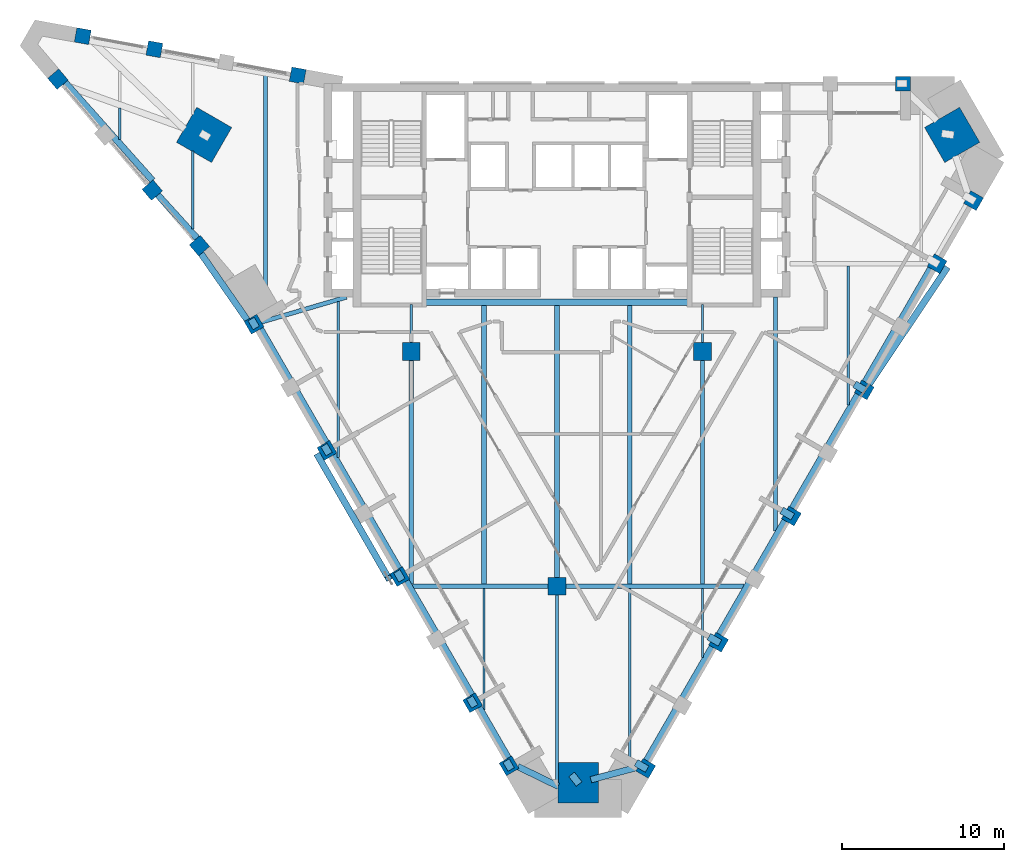
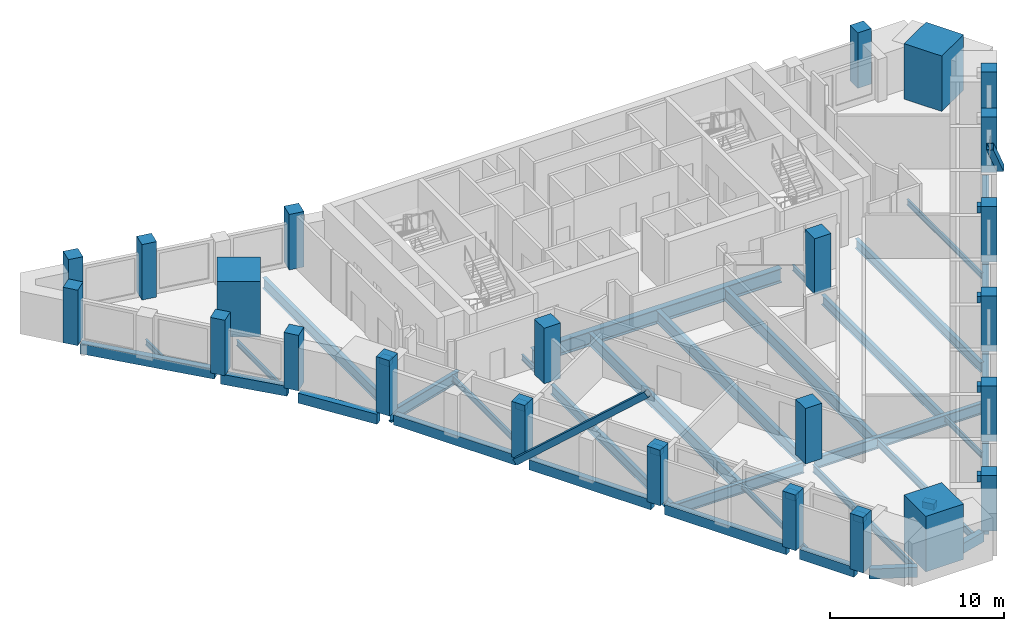
# One storey, part 1 of 9: 44 beams, 24 columns, 2 members.
"""IFC4 building model written with IfcOpenShell, lengths in metres."""

from ifc_helpers import new_model, si_unit, direction, frame, origin, origin_2d, place, context, subcontext, project, spatial, rectangle, hollow_rectangle, i_section, extrude, material, material_profile, profile_set, type_object, element, save


model = new_model("IFC4")

# Units and contexts
model_context = context("Model", 3, precision=1e-05, world=origin(), true_north=direction((0.0, 1.0)))
body_context = subcontext(model_context, "Body", "Model", "MODEL_VIEW")
ifc_project = project(units=[si_unit("LENGTHUNIT", "METRE"), si_unit("AREAUNIT", "SQUARE_METRE"), si_unit("VOLUMEUNIT", "CUBIC_METRE"), si_unit("PLANEANGLEUNIT", "RADIAN"), si_unit("MASSUNIT", "GRAM", prefix="KILO")], contexts=[model_context])

# Site, building, storey
site_placement = place(None, origin())
site = spatial("IfcSite", under=ifc_project, at=site_placement, CompositionType="ELEMENT")
building_placement = place(site_placement, origin())
building = spatial("IfcBuilding", under=site, at=building_placement, Name="Calabash Gate Tower", CompositionType="ELEMENT")
storey_placement = place(building_placement, frame((0.0, 0.0, 204.199951171875)))
storey = spatial("IfcBuildingStorey", under=building, at=storey_placement, Name="L48", CompositionType="ELEMENT", Elevation=204.199951171875)

# Columns
ifc_material_1 = material(Name="Concrete C60/75", Category="concrete")
ifc_material_profile_1 = material_profile(ifc_material_1, rectangle(XDim=1.10009765625, YDim=1.10009765625, at=origin_2d()))
ifc_profile_set_1 = profile_set([ifc_material_profile_1], Name="Concrete C60/75")
column_type_1 = type_object("IfcColumnType", Name="Interior column RC 1100x1100 Concrete C60/75", PredefinedType="COLUMN", material=ifc_profile_set_1)
for number, where, z_axis, x_axis, name in (
    (1, (-9.0, 2.5, 0.0), (0.0, 0.0, 1.0), (1.0, 0.0, 0.0), "Interior column L48 I0"),
    (2, (9.0, 2.5, 0.0), (0.0, 0.0, 1.0), (1.0, 0.0, 0.0), "Interior column L48 I1"),
    (3, (0.0, -12.0, 0.0), (0.0, 0.0, 1.0), (1.0, 0.0, 0.0), "Interior column L48 I2"),
):
    element("IfcColumn", number, at=place(storey_placement, frame(where, z_axis=z_axis, x_axis=x_axis)), inside=storey, type_object=column_type_1, Name=name, PredefinedType="COLUMN", context=body_context, shape_type="SweptSolid", body=[
        extrude(rectangle(XDim=1.10009765625, YDim=1.10009765625, at=origin_2d()), origin(), (0.0, 0.0, 1.0), 3.900146484375),
    ])
ifc_material_2 = material(Name="Concrete C70/85", Category="concrete")
ifc_material_profile_2 = material_profile(ifc_material_2, rectangle(XDim=2.5, YDim=2.5, at=origin_2d()))
ifc_profile_set_2 = profile_set([ifc_material_profile_2], Name="Concrete C70/85")
column_type_2 = type_object("IfcColumnType", Name="Mega column RC 2500x2500 Concrete C70/85", PredefinedType="COLUMN", material=ifc_profile_set_2)
for number, where, z_axis, x_axis, name in (
    (4, (-21.7958984375, 15.8798828125, 0.0), (0.0, 0.0, 1.0), (0.866025377604, -0.500000045345, 0.0), "Mega column L48 NW"),
    (5, (24.4169921875, 15.8798828125, 0.0), (0.0, 0.0, 1.0), (-0.866025377604, -0.500000045345, 0.0), "Mega column L48 NE"),
    (6, (1.31005859375, -24.14208984375, 0.0), (0.0, 0.0, 1.0), (0.0, 1.0, 0.0), "Mega column L48 S"),
):
    element("IfcColumn", number, at=place(storey_placement, frame(where, z_axis=z_axis, x_axis=x_axis)), inside=storey, type_object=column_type_2, Name=name, PredefinedType="COLUMN", context=body_context, shape_type="SweptSolid", body=[
        extrude(rectangle(XDim=2.5, YDim=2.5, at=origin_2d()), origin(), (0.0, 0.0, 1.0), 3.900146484375),
    ])
ifc_material_3 = material(Name="Concrete C60/75", Category="concrete")
ifc_material_profile_3 = material_profile(ifc_material_3, rectangle(XDim=0.89990234375, YDim=0.89990234375, at=origin_2d()))
ifc_profile_set_3 = profile_set([ifc_material_profile_3], Name="Concrete C60/75")
column_type_3 = type_object("IfcColumnType", Name="Perimeter column RC 900x900 Concrete C60/75", PredefinedType="COLUMN", material=ifc_profile_set_3)
for number, where, z_axis, x_axis, name in (
    (7, (-18.70703125, 4.18408203125, 0.0), (0.0, 0.0, 1.0), (0.5, -0.866025403784, 0.0), "Perimeter column L48 P00"),
    (8, (-14.20703125, -3.610107421875, 0.0), (0.0, 0.0, 1.0), (0.5, -0.866025403784, 0.0), "Perimeter column L48 P01"),
    (9, (-9.70703125, -11.404052734375, 0.0), (0.0, 0.0, 1.0), (0.5, -0.866025403784, 0.0), "Perimeter column L48 P02"),
    (10, (-5.20703125, -19.198974609375, 0.0), (0.0, 0.0, 1.0), (0.5, -0.866025403784, 0.0), "Perimeter column L48 P03"),
    (11, (-2.95703125, -23.095947265625, 0.0), (0.0, 0.0, 1.0), (0.5, -0.866025403784, 0.0), "Perimeter column L48 P25"),
    (12, (5.486083984375, -23.25390625, 0.0), (0.0, 0.0, 1.0), (0.5, 0.866025403784, 0.0), "Perimeter column L48 P08"),
    (13, (9.986083984375, -15.4599609375, 0.0), (0.0, 0.0, 1.0), (0.5, 0.866025403784, 0.0), "Perimeter column L48 P09"),
    (14, (14.486083984375, -7.6630859375, 0.0), (0.0, 0.0, 1.0), (0.5, 0.866025403784, 0.0), "Perimeter column L48 P10"),
    (15, (18.986083984375, 0.12890625, 0.0), (0.0, 0.0, 1.0), (0.5, 0.866025403784, 0.0), "Perimeter column L48 P11"),
    (16, (23.486083984375, 7.923095703125, 0.0), (0.0, 0.0, 1.0), (0.5, 0.866025403784, 0.0), "Perimeter column L48 P12"),
    (17, (25.736083984375, 11.820068359375, 0.0), (0.0, 0.0, 1.0), (0.5, 0.866025403784, 0.0), "Perimeter column L48 P13"),
    (18, (21.3779296875, 19.052978515625, 0.0), (0.0, 0.0, 1.0), (-1.0, 0.0, 0.0), "Perimeter column L48 P24"),
    (19, (-16.012939453125, 19.551025390625, 0.0), (0.0, 0.0, 1.0), (-0.983669930074, 0.179981856499, 0.0), "Perimeter column L48 P31"),
    (20, (-24.865966796875, 21.1708984375, 0.0), (0.0, 0.0, 1.0), (-0.983669930074, 0.179981856499, 0.0), "Perimeter column L48 P32"),
    (21, (-29.29296875, 21.97998046875, 0.0), (0.0, 0.0, 1.0), (-0.983669930074, 0.179981856499, 0.0), "Perimeter column L48 P33"),
    (22, (-30.827880859375, 19.322021484375, 0.0), (0.0, 0.0, 1.0), (0.647703824985, -0.761892220133, 0.0), "Perimeter column L48 P34"),
    (23, (-24.998046875, 12.467041015625, 0.0), (0.0, 0.0, 1.0), (0.647703824985, -0.761892220133, 0.0), "Perimeter column L48 P20"),
    (24, (-22.083984375, 9.037109375, 0.0), (0.0, 0.0, 1.0), (0.647703824985, -0.761892220133, 0.0), "Perimeter column L48 P35"),
):
    element("IfcColumn", number, at=place(storey_placement, frame(where, z_axis=z_axis, x_axis=x_axis)), inside=storey, type_object=column_type_3, Name=name, PredefinedType="COLUMN", context=body_context, shape_type="SweptSolid", body=[
        extrude(rectangle(XDim=0.89990234375, YDim=0.89990234375, at=origin_2d()), origin(), (0.0, 0.0, 1.0), 3.900146484375),
    ])

# Beams
ifc_material_4 = material(Name="Concrete C80/95", Category="concrete")
ifc_material_profile_4 = material_profile(ifc_material_4, rectangle(XDim=0.449951171875, YDim=0.449951171875, at=origin_2d()))
ifc_profile_set_4 = profile_set([ifc_material_profile_4], Name="Concrete C80/95")
beam_type_1 = type_object("IfcBeamType", Name="Column offset link RC 450x450 Concrete C80/95", PredefinedType="BEAM", material=ifc_profile_set_4)
for number, where, z_axis, x_axis, name in (
    (25, (-18.572998046875, 3.9560546875, 3.504150390625), (-0.502042205342, 0.864843121066, 0.0), (-0.864843121066, -0.502042205342, 0.0), "Column offset link L48 P00"),
    (26, (-14.072998046875, -3.837890625, 3.504150390625), (-0.502042205342, 0.864843121066, 0.0), (-0.864843121066, -0.502042205342, 0.0), "Column offset link L48 P01"),
):
    element("IfcBeam", number, at=place(storey_placement, frame(where, z_axis=z_axis, x_axis=x_axis)), inside=storey, type_object=beam_type_1, Name=name, PredefinedType="BEAM", context=body_context, shape_type="SweptSolid", body=[
        extrude(rectangle(XDim=0.449951171875, YDim=0.449951171875, at=origin_2d()), origin(), (0.0, 0.0, 1.0), 0.631103515625),
    ])
beam_1_placement = place(storey_placement, frame((-9.572998046875, -11.632080078125, 3.504150390625), z_axis=(-0.502546433169, 0.864550219773, 0.0), x_axis=(-0.864550219773, -0.502546433169, 0.0)))
element("IfcBeam", 27, at=beam_1_placement, inside=storey, type_object=beam_type_1, Name="Column offset link L48 P02", PredefinedType="BEAM", context=body_context, shape_type="SweptSolid", body=[
    extrude(rectangle(XDim=0.449951171875, YDim=0.449951171875, at=origin_2d()), origin(), (0.0, 0.0, 1.0), 0.630615234375),
])
beam_2_placement = place(storey_placement, frame((-5.072998046875, -19.426025390625, 3.504150390625), z_axis=(-0.502714696212, 0.864452389789, 0.0), x_axis=(-0.864452389789, -0.502714696212, 0.0)))
element("IfcBeam", 28, at=beam_2_placement, inside=storey, type_object=beam_type_1, Name="Column offset link L48 P03", PredefinedType="BEAM", context=body_context, shape_type="SweptSolid", body=[
    extrude(rectangle(XDim=0.449951171875, YDim=0.449951171875, at=origin_2d()), origin(), (0.0, 0.0, 1.0), 0.63037109375),
])
for number, where, z_axis, x_axis, name in (
    (29, (5.572021484375, -23.303955078125, 3.504150390625), (-0.865538736039, 0.500841987473, 0.0), (-0.500841987473, -0.865538736039, 0.0), "Column offset link L48 P08"),
    (30, (10.072021484375, -15.510009765625, 3.504150390625), (-0.865538736039, 0.500841987473, 0.0), (-0.500841987473, -0.865538736039, 0.0), "Column offset link L48 P09"),
):
    element("IfcBeam", number, at=place(storey_placement, frame(where, z_axis=z_axis, x_axis=x_axis)), inside=storey, type_object=beam_type_1, Name=name, PredefinedType="BEAM", context=body_context, shape_type="SweptSolid", body=[
        extrude(rectangle(XDim=0.449951171875, YDim=0.449951171875, at=origin_2d()), origin(), (0.0, 0.0, 1.0), 0.792724609375),
    ])
beam_3_placement = place(storey_placement, frame((14.572021484375, -7.712890625, 3.504150390625), z_axis=(-0.867272838797, 0.49783312775, 0.0), x_axis=(-0.49783312775, -0.867272838797, 0.0)))
element("IfcBeam", 31, at=beam_3_placement, inside=storey, type_object=beam_type_1, Name="Column offset link L48 P10", PredefinedType="BEAM", context=body_context, shape_type="SweptSolid", body=[
    extrude(rectangle(XDim=0.449951171875, YDim=0.449951171875, at=origin_2d()), origin(), (0.0, 0.0, 1.0), 0.791015625),
])
beam_4_placement = place(storey_placement, frame((19.072021484375, 0.0791015625, 3.504150390625), z_axis=(-0.865004468214, 0.501764157718, 0.0), x_axis=(-0.501764157718, -0.865004468214, 0.0)))
element("IfcBeam", 32, at=beam_4_placement, inside=storey, type_object=beam_type_1, Name="Column offset link L48 P11", PredefinedType="BEAM", context=body_context, shape_type="SweptSolid", body=[
    extrude(rectangle(XDim=0.449951171875, YDim=0.449951171875, at=origin_2d()), origin(), (0.0, 0.0, 1.0), 0.793212890625),
])
beam_5_placement = place(storey_placement, frame((-2.822998046875, -23.323974609375, 3.504150390625), z_axis=(-0.502042205342, 0.864843121066, 0.0), x_axis=(-0.864843121066, -0.502042205342, 0.0)))
element("IfcBeam", 33, at=beam_5_placement, inside=storey, type_object=beam_type_1, Name="Column offset link L48 P25", PredefinedType="BEAM", context=body_context, shape_type="SweptSolid", body=[
    extrude(rectangle(XDim=0.449951171875, YDim=0.449951171875, at=origin_2d()), origin(), (0.0, 0.0, 1.0), 0.631103515625),
])
beam_6_placement = place(storey_placement, frame((1.3720703125, -24.219970703125, 3.504150390625), z_axis=(-0.618551093794, 0.785744579597, 0.0), x_axis=(-0.785744579597, -0.618551093794, 0.0)))
element("IfcBeam", 34, at=beam_6_placement, inside=storey, type_object=beam_type_1, Name="Column offset link L48 S", PredefinedType="BEAM", context=body_context, shape_type="SweptSolid", body=[
    extrude(rectangle(XDim=0.449951171875, YDim=0.449951171875, at=origin_2d()), origin(), (0.0, 0.0, 1.0), 0.75341796875),
])
ifc_material_5 = material(Name="Concrete C50/60", Category="concrete")
ifc_material_profile_5 = material_profile(ifc_material_5, rectangle(XDim=0.39990234375, YDim=0.699951171875, at=origin_2d()))
ifc_profile_set_5 = profile_set([ifc_material_profile_5], Name="Concrete C50/60")
beam_type_2 = type_object("IfcBeamType", Name="Edge beam RC 400x700 Concrete C50/60", PredefinedType="BEAM", material=ifc_profile_set_5)
beam_7_placement = place(storey_placement, frame((-13.80810546875, -3.89990234375, -0.52001953125), z_axis=(0.500091252813, -0.865972712538, 0.0), x_axis=(0.865972712538, 0.500091252813, 0.0)))
element("IfcBeam", 35, at=beam_7_placement, inside=storey, type_object=beam_type_2, Name="Edge beam L48 1", PredefinedType="BEAM", context=body_context, shape_type="SweptSolid", body=[
    extrude(rectangle(XDim=0.39990234375, YDim=0.699951171875, at=origin_2d()), origin(), (0.0, 0.0, 1.0), 8.0986328125),
])
beam_8_placement = place(storey_placement, frame((-9.30810546875, -11.694091796875, -0.52001953125), z_axis=(0.499999880539, -0.866025472755, 0.0), x_axis=(0.866025472755, 0.499999880539, 0.0)))
element("IfcBeam", 36, at=beam_8_placement, inside=storey, type_object=beam_type_2, Name="Edge beam L48 2", PredefinedType="BEAM", context=body_context, shape_type="SweptSolid", body=[
    extrude(rectangle(XDim=0.39990234375, YDim=0.699951171875, at=origin_2d()), origin(), (0.0, 0.0, 1.0), 8.10009765625),
])
beam_9_placement = place(storey_placement, frame((-4.80810546875, -19.488037109375, -0.52001953125), z_axis=(0.499982693035, -0.866035395735, 0.0), x_axis=(0.866035395735, 0.499982693035, 0.0)))
element("IfcBeam", 37, at=beam_9_placement, inside=storey, type_object=beam_type_2, Name="Edge beam L48 3", PredefinedType="BEAM", context=body_context, shape_type="SweptSolid", body=[
    extrude(rectangle(XDim=0.39990234375, YDim=0.699951171875, at=origin_2d()), origin(), (0.0, 0.0, 1.0), 3.600341796875),
])
beam_10_placement = place(storey_placement, frame((-2.4189453125, -23.139892578125, -0.52001953125), z_axis=(0.898841827038, -0.438273168203, 0.0), x_axis=(0.438273168203, 0.898841827038, 0.0)))
element("IfcBeam", 38, at=beam_10_placement, inside=storey, type_object=beam_type_2, Name="Edge beam L48 4", PredefinedType="BEAM", context=body_context, shape_type="SweptSolid", body=[
    extrude(rectangle(XDim=0.39990234375, YDim=0.699951171875, at=origin_2d()), origin(), (0.0, 0.0, 1.0), 2.78125),
])
beam_11_placement = place(storey_placement, frame((2.096923828125, -23.9560546875, -0.52001953125), z_axis=(0.965834015077, 0.25916144644, 0.0), x_axis=(-0.25916144644, 0.965834015077, 0.0)))
element("IfcBeam", 39, at=beam_11_placement, inside=storey, type_object=beam_type_2, Name="Edge beam L48 5", PredefinedType="BEAM", context=body_context, shape_type="SweptSolid", body=[
    extrude(rectangle(XDim=0.39990234375, YDim=0.699951171875, at=origin_2d()), origin(), (0.0, 0.0, 1.0), 3.041015625),
])
beam_12_placement = place(storey_placement, frame((5.5380859375, -22.763916015625, -0.52001953125), z_axis=(0.499977274689, 0.866038523851, 0.0), x_axis=(-0.866038523851, 0.499977274689, 0.0)))
element("IfcBeam", 40, at=beam_12_placement, inside=storey, type_object=beam_type_2, Name="Edge beam L48 6", PredefinedType="BEAM", context=body_context, shape_type="SweptSolid", body=[
    extrude(rectangle(XDim=0.39990234375, YDim=0.699951171875, at=origin_2d()), origin(), (0.0, 0.0, 1.0), 8.10009765625),
])
beam_13_placement = place(storey_placement, frame((10.0380859375, -14.969970703125, -0.52001953125), z_axis=(0.499859838702, 0.866106310826, 0.0), x_axis=(-0.866106310826, 0.499859838702, 0.0)))
element("IfcBeam", 41, at=beam_13_placement, inside=storey, type_object=beam_type_2, Name="Edge beam L48 7", PredefinedType="BEAM", context=body_context, shape_type="SweptSolid", body=[
    extrude(rectangle(XDim=0.39990234375, YDim=0.699951171875, at=origin_2d()), origin(), (0.0, 0.0, 1.0), 8.101806640625),
])
beam_14_placement = place(storey_placement, frame((14.5380859375, -7.176025390625, -0.52001953125), z_axis=(0.499964223975, 0.866046058097, 0.0), x_axis=(-0.866046058097, 0.499964223975, 0.0)))
element("IfcBeam", 42, at=beam_14_placement, inside=storey, type_object=beam_type_2, Name="Edge beam L48 8", PredefinedType="BEAM", context=body_context, shape_type="SweptSolid", body=[
    extrude(rectangle(XDim=0.39990234375, YDim=0.699951171875, at=origin_2d()), origin(), (0.0, 0.0, 1.0), 8.10009765625),
])
beam_15_placement = place(storey_placement, frame((19.0380859375, 0.618896484375, -0.52001953125), z_axis=(0.500016430238, 0.866015917575, 0.0), x_axis=(-0.866015917575, 0.500016430238, 0.0)))
element("IfcBeam", 43, at=beam_15_placement, inside=storey, type_object=beam_type_2, Name="Edge beam L48 9", PredefinedType="BEAM", context=body_context, shape_type="SweptSolid", body=[
    extrude(rectangle(XDim=0.39990234375, YDim=0.699951171875, at=origin_2d()), origin(), (0.0, 0.0, 1.0), 8.099365234375),
])
beam_16_placement = place(storey_placement, frame((-30.389892578125, 19.132080078125, -0.52001953125), z_axis=(0.665233110043, -0.746635727315, 0.0), x_axis=(0.746635727315, 0.665233110043, 0.0)))
element("IfcBeam", 44, at=beam_16_placement, inside=storey, type_object=beam_type_2, Name="Edge beam L48 17", PredefinedType="BEAM", context=body_context, shape_type="SweptSolid", body=[
    extrude(rectangle(XDim=0.39990234375, YDim=0.699951171875, at=origin_2d()), origin(), (0.0, 0.0, 1.0), 8.13671875),
])
beam_17_placement = place(storey_placement, frame((-24.910888671875, 12.449951171875, -0.52001953125), z_axis=(0.672053664313, -0.740502445832, 0.0), x_axis=(0.740502445832, 0.672053664313, 0.0)))
element("IfcBeam", 45, at=beam_17_placement, inside=storey, type_object=beam_type_2, Name="Edge beam L48 18", PredefinedType="BEAM", context=body_context, shape_type="SweptSolid", body=[
    extrude(rectangle(XDim=0.39990234375, YDim=0.699951171875, at=origin_2d()), origin(), (0.0, 0.0, 1.0), 4.00537109375),
])
beam_18_placement = place(storey_placement, frame((-21.98291015625, 8.5458984375, -0.52001953125), z_axis=(0.570816289465, -0.821077806107, 0.0), x_axis=(0.821077806107, 0.570816289465, 0.0)))
element("IfcBeam", 46, at=beam_18_placement, inside=storey, type_object=beam_type_2, Name="Edge beam L48 19", PredefinedType="BEAM", context=body_context, shape_type="SweptSolid", body=[
    extrude(rectangle(XDim=0.39990234375, YDim=0.699951171875, at=origin_2d()), origin(), (0.0, 0.0, 1.0), 5.015380859375),
])
beam_19_placement = place(storey_placement, frame((-18.30810546875, 3.89404296875, -0.52001953125), z_axis=(0.500039036678, -0.866002864775, 0.0), x_axis=(0.866002864775, 0.500039036678, 0.0)))
element("IfcBeam", 47, at=beam_19_placement, inside=storey, type_object=beam_type_2, Name="Edge beam L48 20", PredefinedType="BEAM", context=body_context, shape_type="SweptSolid", body=[
    extrude(rectangle(XDim=0.39990234375, YDim=0.699951171875, at=origin_2d()), origin(), (0.0, 0.0, 1.0), 8.099365234375),
])
ifc_material_6 = material(Name="Steel ASTM A992 Gr50", Category="steel")
ifc_material_profile_6 = material_profile(ifc_material_6, i_section(OverallWidth=0.1396484375, OverallDepth=0.398681640625, WebThickness=0.00634765625, FlangeThickness=0.0087890625, FilletRadius=0.01025390625, at=origin_2d()))
ifc_profile_set_6 = profile_set([ifc_material_profile_6], Name="Steel ASTM A992 Gr50")
beam_type_3 = type_object("IfcBeamType", Name="Floor beam W16x26 ASTM A992 Gr50", PredefinedType="BEAM", material=ifc_profile_set_6)
beam_20_placement = place(storey_placement, frame((-27.0, 15.595947265625, -0.368896484375), z_axis=(0.0, 1.0, 0.0), x_axis=(-1.0, 0.0, 0.0)))
element("IfcBeam", 48, at=beam_20_placement, inside=storey, type_object=beam_type_3, Name="Floor beam L48 1", PredefinedType="BEAM", context=body_context, shape_type="SweptSolid", body=[
    extrude(i_section(OverallWidth=0.1396484375, OverallDepth=0.398681640625, WebThickness=0.00634765625, FlangeThickness=0.0087890625, FilletRadius=0.01025390625, at=origin_2d()), origin(), (0.0, 0.0, 1.0), 1.9560546875),
])
beam_21_placement = place(storey_placement, frame((-22.5, 10.06201171875, -0.368896484375), z_axis=(0.0, 1.0, 0.0), x_axis=(-1.0, 0.0, 0.0)))
element("IfcBeam", 49, at=beam_21_placement, inside=storey, type_object=beam_type_3, Name="Floor beam L48 3", PredefinedType="BEAM", context=body_context, shape_type="SweptSolid", body=[
    extrude(i_section(OverallWidth=0.1396484375, OverallDepth=0.398681640625, WebThickness=0.00634765625, FlangeThickness=0.0087890625, FilletRadius=0.01025390625, at=origin_2d()), origin(), (0.0, 0.0, 1.0), 4.81103515625),
])
beam_22_placement = place(storey_placement, frame((-9.0, 3.050048828125, -0.368896484375), z_axis=(0.0, 1.0, 0.0), x_axis=(-1.0, 0.0, 0.0)))
element("IfcBeam", 50, at=beam_22_placement, inside=storey, type_object=beam_type_3, Name="Floor beam L48 8", PredefinedType="BEAM", context=body_context, shape_type="SweptSolid", body=[
    extrude(i_section(OverallWidth=0.1396484375, OverallDepth=0.398681640625, WebThickness=0.00634765625, FlangeThickness=0.0087890625, FilletRadius=0.01025390625, at=origin_2d()), origin(), (0.0, 0.0, 1.0), 2.35302734375),
])
beam_23_placement = place(storey_placement, frame((-4.5, -19.654052734375, -0.368896484375), z_axis=(0.0, 1.0, 0.0), x_axis=(-1.0, 0.0, 0.0)))
element("IfcBeam", 51, at=beam_23_placement, inside=storey, type_object=beam_type_3, Name="Floor beam L48 9", PredefinedType="BEAM", context=body_context, shape_type="SweptSolid", body=[
    extrude(i_section(OverallWidth=0.1396484375, OverallDepth=0.398681640625, WebThickness=0.00634765625, FlangeThickness=0.0087890625, FilletRadius=0.01025390625, at=origin_2d()), origin(), (0.0, 0.0, 1.0), 7.52099609375),
])
beam_24_placement = place(storey_placement, frame((9.0, -16.39892578125, -0.368896484375), z_axis=(0.0, 1.0, 0.0), x_axis=(-1.0, 0.0, 0.0)))
element("IfcBeam", 52, at=beam_24_placement, inside=storey, type_object=beam_type_3, Name="Floor beam L48 15", PredefinedType="BEAM", context=body_context, shape_type="SweptSolid", body=[
    extrude(i_section(OverallWidth=0.1396484375, OverallDepth=0.398681640625, WebThickness=0.00634765625, FlangeThickness=0.0087890625, FilletRadius=0.01025390625, at=origin_2d()), origin(), (0.0, 0.0, 1.0), 4.265869140625),
])
beam_25_placement = place(storey_placement, frame((9.0, 3.050048828125, -0.368896484375), z_axis=(0.0, 1.0, 0.0), x_axis=(-1.0, 0.0, 0.0)))
element("IfcBeam", 53, at=beam_25_placement, inside=storey, type_object=beam_type_3, Name="Floor beam L48 17", PredefinedType="BEAM", context=body_context, shape_type="SweptSolid", body=[
    extrude(i_section(OverallWidth=0.1396484375, OverallDepth=0.398681640625, WebThickness=0.00634765625, FlangeThickness=0.0087890625, FilletRadius=0.01025390625, at=origin_2d()), origin(), (0.0, 0.0, 1.0), 2.35302734375),
])
beam_26_placement = place(storey_placement, frame((18.0, -0.81103515625, -0.368896484375), z_axis=(0.0, 1.0, 0.0), x_axis=(-1.0, 0.0, 0.0)))
element("IfcBeam", 54, at=beam_26_placement, inside=storey, type_object=beam_type_3, Name="Floor beam L48 19", PredefinedType="BEAM", context=body_context, shape_type="SweptSolid", body=[
    extrude(i_section(OverallWidth=0.1396484375, OverallDepth=0.398681640625, WebThickness=0.00634765625, FlangeThickness=0.0087890625, FilletRadius=0.01025390625, at=origin_2d()), origin(), (0.0, 0.0, 1.0), 8.60107421875),
])
ifc_material_7 = material(Name="Steel ASTM A992 Gr50", Category="steel")
ifc_material_profile_7 = material_profile(ifc_material_7, i_section(OverallWidth=0.15234375, OverallDepth=0.44970703125, WebThickness=0.007568359375, FlangeThickness=0.0107421875, FilletRadius=0.01025390625, at=origin_2d()))
ifc_profile_set_7 = profile_set([ifc_material_profile_7], Name="Steel ASTM A992 Gr50")
beam_type_4 = type_object("IfcBeamType", Name="Floor beam W18x35 ASTM A992 Gr50", PredefinedType="BEAM", material=ifc_profile_set_7)
beam_27_placement = place(storey_placement, frame((-13.5, -4.0458984375, -0.39306640625), z_axis=(0.0, 1.0, 0.0), x_axis=(-1.0, 0.0, 0.0)))
element("IfcBeam", 55, at=beam_27_placement, inside=storey, type_object=beam_type_4, Name="Floor beam L48 6", PredefinedType="BEAM", context=body_context, shape_type="SweptSolid", body=[
    extrude(i_section(OverallWidth=0.15234375, OverallDepth=0.44970703125, WebThickness=0.007568359375, FlangeThickness=0.0107421875, FilletRadius=0.01025390625, at=origin_2d()), origin(), (0.0, 0.0, 1.0), 9.642822265625),
])
ifc_material_8 = material(Name="Steel ASTM A992 Gr50", Category="steel")
ifc_material_profile_8 = material_profile(ifc_material_8, i_section(OverallWidth=0.166015625, OverallDepth=0.5283203125, WebThickness=0.009765625, FlangeThickness=0.013671875, FilletRadius=0.0126953125, at=origin_2d()))
ifc_profile_set_8 = profile_set([ifc_material_profile_8], Name="Steel ASTM A992 Gr50")
beam_type_5 = type_object("IfcBeamType", Name="Floor beam W21x50 ASTM A992 Gr50", PredefinedType="BEAM", material=ifc_profile_set_8)
beam_28_placement = place(storey_placement, frame((0.0, -24.117919921875, -0.433837890625), z_axis=(0.0, 1.0, 0.0), x_axis=(-1.0, 0.0, 0.0)))
element("IfcBeam", 56, at=beam_28_placement, inside=storey, type_object=beam_type_5, Name="Floor beam L48 11", PredefinedType="BEAM", context=body_context, shape_type="SweptSolid", body=[
    extrude(i_section(OverallWidth=0.166015625, OverallDepth=0.5283203125, WebThickness=0.009765625, FlangeThickness=0.013671875, FilletRadius=0.0126953125, at=origin_2d()), origin(), (0.0, 0.0, 1.0), 11.56787109375),
])
beam_29_placement = place(storey_placement, frame((4.5, -23.1259765625, -0.433837890625), z_axis=(0.0, 1.0, 0.0), x_axis=(-1.0, 0.0, 0.0)))
element("IfcBeam", 57, at=beam_29_placement, inside=storey, type_object=beam_type_5, Name="Floor beam L48 13", PredefinedType="BEAM", context=body_context, shape_type="SweptSolid", body=[
    extrude(i_section(OverallWidth=0.166015625, OverallDepth=0.5283203125, WebThickness=0.009765625, FlangeThickness=0.013671875, FilletRadius=0.0126953125, at=origin_2d()), origin(), (0.0, 0.0, 1.0), 10.992919921875),
])
ifc_material_9 = material(Name="Steel ASTM A992 Gr50", Category="steel")
ifc_material_profile_9 = material_profile(ifc_material_9, i_section(OverallWidth=0.25390625, OverallDepth=0.67822265625, WebThickness=0.01171875, FlangeThickness=0.016357421875, FilletRadius=0.01513671875, at=origin_2d()))
ifc_profile_set_9 = profile_set([ifc_material_profile_9], Name="Steel ASTM A992 Gr50")
beam_type_6 = type_object("IfcBeamType", Name="Floor beam W27x84 ASTM A992 Gr50", PredefinedType="BEAM", material=ifc_profile_set_9)
beam_30_placement = place(storey_placement, frame((-9.0, -11.860107421875, -0.509033203125), z_axis=(0.0, 1.0, 0.0), x_axis=(-1.0, 0.0, 0.0)))
element("IfcBeam", 58, at=beam_30_placement, inside=storey, type_object=beam_type_6, Name="Floor beam L48 7", PredefinedType="BEAM", context=body_context, shape_type="SweptSolid", body=[
    extrude(i_section(OverallWidth=0.25390625, OverallDepth=0.67822265625, WebThickness=0.01171875, FlangeThickness=0.016357421875, FilletRadius=0.01513671875, at=origin_2d()), origin(), (0.0, 0.0, 1.0), 13.81005859375),
])
beam_31_placement = place(storey_placement, frame((9.0, -11.866943359375, -0.509033203125), z_axis=(0.0, 1.0, 0.0), x_axis=(-1.0, 0.0, 0.0)))
element("IfcBeam", 59, at=beam_31_placement, inside=storey, type_object=beam_type_6, Name="Floor beam L48 16", PredefinedType="BEAM", context=body_context, shape_type="SweptSolid", body=[
    extrude(i_section(OverallWidth=0.25390625, OverallDepth=0.67822265625, WebThickness=0.01171875, FlangeThickness=0.016357421875, FilletRadius=0.01513671875, at=origin_2d()), origin(), (0.0, 0.0, 1.0), 13.81689453125),
])
beam_32_placement = place(storey_placement, frame((13.5, -8.5830078125, -0.509033203125), z_axis=(0.0, 1.0, 0.0), x_axis=(-1.0, 0.0, 0.0)))
element("IfcBeam", 60, at=beam_32_placement, inside=storey, type_object=beam_type_6, Name="Floor beam L48 18", PredefinedType="BEAM", context=body_context, shape_type="SweptSolid", body=[
    extrude(i_section(OverallWidth=0.25390625, OverallDepth=0.67822265625, WebThickness=0.01171875, FlangeThickness=0.016357421875, FilletRadius=0.01513671875, at=origin_2d()), origin(), (0.0, 0.0, 1.0), 14.43603515625),
])
ifc_material_10 = material(Name="Steel ASTM A992 Gr50", Category="steel")
ifc_material_profile_10 = material_profile(ifc_material_10, i_section(OverallWidth=0.2666015625, OverallDepth=0.7568359375, WebThickness=0.013916015625, FlangeThickness=0.019287109375, FilletRadius=0.0166015625, at=origin_2d()))
ifc_profile_set_10 = profile_set([ifc_material_profile_10], Name="Steel ASTM A992 Gr50")
beam_type_7 = type_object("IfcBeamType", Name="Floor beam W30x108 ASTM A992 Gr50", PredefinedType="BEAM", material=ifc_profile_set_10)
beam_33_placement = place(storey_placement, frame((-18.0, 4.508056640625, -0.5478515625), z_axis=(0.0, 1.0, 0.0), x_axis=(-1.0, 0.0, 0.0)))
element("IfcBeam", 61, at=beam_33_placement, inside=storey, type_object=beam_type_7, Name="Floor beam L48 5", PredefinedType="BEAM", context=body_context, shape_type="SweptSolid", body=[
    extrude(i_section(OverallWidth=0.2666015625, OverallDepth=0.7568359375, WebThickness=0.013916015625, FlangeThickness=0.019287109375, FilletRadius=0.0166015625, at=origin_2d()), origin(), (0.0, 0.0, 1.0), 15.031982421875),
])
ifc_material_11 = material(Name="Steel ASTM A992 Gr50", Category="steel")
ifc_material_profile_11 = material_profile(ifc_material_11, i_section(OverallWidth=0.2919921875, OverallDepth=0.845703125, WebThickness=0.015380859375, FlangeThickness=0.0244140625, FilletRadius=0.017822265625, at=origin_2d()))
ifc_profile_set_11 = profile_set([ifc_material_profile_11], Name="Steel ASTM A992 Gr50")
beam_type_8 = type_object("IfcBeamType", Name="Floor beam W33x141 ASTM A992 Gr50", PredefinedType="BEAM", material=ifc_profile_set_11)
beam_34_placement = place(storey_placement, frame((-4.5, -11.866943359375, -0.593017578125), z_axis=(0.0, 1.0, 0.0), x_axis=(-1.0, 0.0, 0.0)))
element("IfcBeam", 62, at=beam_34_placement, inside=storey, type_object=beam_type_8, Name="Floor beam L48 10", PredefinedType="BEAM", context=body_context, shape_type="SweptSolid", body=[
    extrude(i_section(OverallWidth=0.2919921875, OverallDepth=0.845703125, WebThickness=0.015380859375, FlangeThickness=0.0244140625, FilletRadius=0.017822265625, at=origin_2d()), origin(), (0.0, 0.0, 1.0), 17.218994140625),
])
beam_35_placement = place(storey_placement, frame((0.0, -11.449951171875, -0.593017578125), z_axis=(0.0, 1.0, 0.0), x_axis=(-1.0, 0.0, 0.0)))
element("IfcBeam", 63, at=beam_35_placement, inside=storey, type_object=beam_type_8, Name="Floor beam L48 12", PredefinedType="BEAM", context=body_context, shape_type="SweptSolid", body=[
    extrude(i_section(OverallWidth=0.2919921875, OverallDepth=0.845703125, WebThickness=0.015380859375, FlangeThickness=0.0244140625, FilletRadius=0.017822265625, at=origin_2d()), origin(), (0.0, 0.0, 1.0), 16.802001953125),
])
beam_36_placement = place(storey_placement, frame((4.5, -11.866943359375, -0.593017578125), z_axis=(0.0, 1.0, 0.0), x_axis=(-1.0, 0.0, 0.0)))
element("IfcBeam", 64, at=beam_36_placement, inside=storey, type_object=beam_type_8, Name="Floor beam L48 14", PredefinedType="BEAM", context=body_context, shape_type="SweptSolid", body=[
    extrude(i_section(OverallWidth=0.2919921875, OverallDepth=0.845703125, WebThickness=0.015380859375, FlangeThickness=0.0244140625, FilletRadius=0.017822265625, at=origin_2d()), origin(), (0.0, 0.0, 1.0), 17.218994140625),
])
ifc_material_12 = material(Name="Steel ASTM A992 Gr50", Category="steel")
ifc_material_profile_12 = material_profile(ifc_material_12, i_section(OverallWidth=0.2666015625, OverallDepth=0.77978515625, WebThickness=0.0166015625, FlangeThickness=0.030029296875, FilletRadius=0.0166015625, at=origin_2d()))
ifc_profile_set_12 = profile_set([ifc_material_profile_12], Name="Steel ASTM A992 Gr50")
beam_type_9 = type_object("IfcBeamType", Name="Girder W30x148 ASTM A992 Gr50", PredefinedType="BEAM", material=ifc_profile_set_12)
beam_37_placement = place(storey_placement, frame((-18.4560546875, 4.258056640625, -0.56005859375), z_axis=(0.959536962642, 0.281582700682, 0.0), x_axis=(-0.281582700682, 0.959536962642, 0.0)))
element("IfcBeam", 65, at=beam_37_placement, inside=storey, type_object=beam_type_9, Name="Girder L48 2", PredefinedType="BEAM", context=body_context, shape_type="SweptSolid", body=[
    extrude(i_section(OverallWidth=0.2666015625, OverallDepth=0.77978515625, WebThickness=0.0166015625, FlangeThickness=0.030029296875, FilletRadius=0.0166015625, at=origin_2d()), origin(), (0.0, 0.0, 1.0), 5.68505859375),
])
beam_38_placement = place(storey_placement, frame((-8.93310546875, -12.0, -0.56005859375), z_axis=(1.0, 0.0, 0.0), x_axis=(0.0, 1.0, 0.0)))
element("IfcBeam", 66, at=beam_38_placement, inside=storey, type_object=beam_type_9, Name="Girder L48 4", PredefinedType="BEAM", context=body_context, shape_type="SweptSolid", body=[
    extrude(i_section(OverallWidth=0.2666015625, OverallDepth=0.77978515625, WebThickness=0.0166015625, FlangeThickness=0.030029296875, FilletRadius=0.0166015625, at=origin_2d()), origin(), (0.0, 0.0, 1.0), 8.56298828125),
])
beam_39_placement = place(storey_placement, frame((0.3701171875, -12.0, -0.56005859375), z_axis=(1.0, 0.0, 0.0), x_axis=(0.0, 1.0, 0.0)))
element("IfcBeam", 67, at=beam_39_placement, inside=storey, type_object=beam_type_9, Name="Girder L48 5", PredefinedType="BEAM", context=body_context, shape_type="SweptSolid", body=[
    extrude(i_section(OverallWidth=0.2666015625, OverallDepth=0.77978515625, WebThickness=0.0166015625, FlangeThickness=0.030029296875, FilletRadius=0.0166015625, at=origin_2d()), origin(), (0.0, 0.0, 1.0), 11.182861328125),
])
ifc_material_13 = material(Name="Steel ASTM A992 Gr50", Category="steel")
ifc_material_profile_13 = material_profile(ifc_material_13, i_section(OverallWidth=0.4013671875, OverallDepth=1.000732421875, WebThickness=0.01904296875, FlangeThickness=0.0361328125, FilletRadius=0.030029296875, at=origin_2d()))
ifc_profile_set_13 = profile_set([ifc_material_profile_13], Name="Steel ASTM A992 Gr50")
beam_type_10 = type_object("IfcBeamType", Name="Girder W40x249 ASTM A992 Gr50", PredefinedType="BEAM", material=ifc_profile_set_13)
beam_40_placement = place(storey_placement, frame((-8.25, 5.552978515625, -0.669921875), z_axis=(1.0, 0.0, 0.0), x_axis=(0.0, 1.0, 0.0)))
element("IfcBeam", 68, at=beam_40_placement, inside=storey, type_object=beam_type_10, Name="Girder L48 1", PredefinedType="BEAM", context=body_context, shape_type="SweptSolid", body=[
    extrude(i_section(OverallWidth=0.4013671875, OverallDepth=1.000732421875, WebThickness=0.01904296875, FlangeThickness=0.0361328125, FilletRadius=0.030029296875, at=origin_2d()), origin(), (0.0, 0.0, 1.0), 16.5),
])

# Members
ifc_material_14 = material(Name="Steel ASTM A500 Gr C", Category="steel")
ifc_material_profile_14 = material_profile(ifc_material_14, hollow_rectangle(XDim=0.406494140625, YDim=0.406494140625, WallThickness=0.015869140625, at=origin_2d()))
ifc_profile_set_14 = profile_set([ifc_material_profile_14], Name="Steel ASTM A500 Gr C")
member_type = type_object("IfcMemberType", Name="Mega-brace HSS16X16X.625 ASTM A500 Gr C", PredefinedType="BRACE", material=ifc_profile_set_14)
member_1_placement = place(storey_placement, frame((-14.772216796875, -3.936767578125, 0.0), z_axis=(0.372907900354, -0.645901086786, 0.666146743551), x_axis=(0.866027299954, 0.499996715723, 0.0)))
element("IfcMember", 69, at=member_1_placement, inside=storey, type_object=member_type, Name="Mega-brace SW Z4 29", PredefinedType="BRACE", context=body_context, shape_type="SweptSolid", body=[
    extrude(hollow_rectangle(XDim=0.406494140625, YDim=0.406494140625, WallThickness=0.015869140625, at=origin_2d()), origin(), (0.0, 0.0, 1.0), 11.709228515625),
])
member_2_placement = place(storey_placement, frame((24.051513671875, 7.596435546875, 0.0), z_axis=(-0.420416121738, -0.628781509433, 0.654128502649), x_axis=(0.831299946078, -0.555824072572, 0.0)))
element("IfcMember", 70, at=member_2_placement, inside=storey, type_object=member_type, Name="Mega-brace SE Z4 33", PredefinedType="BRACE", context=body_context, shape_type="SweptSolid", body=[
    extrude(hollow_rectangle(XDim=0.406494140625, YDim=0.406494140625, WallThickness=0.015869140625, at=origin_2d()), origin(), (0.0, 0.0, 1.0), 11.92431640625),
])

save(model, "model.ifc")
